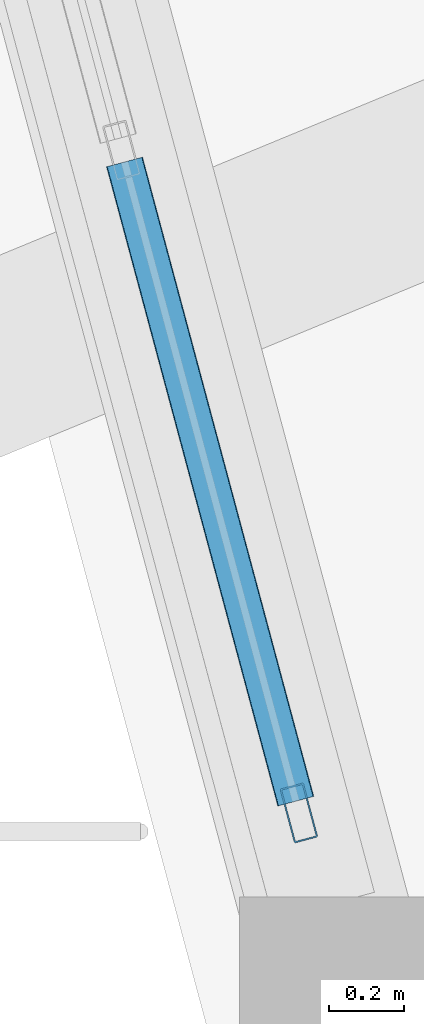
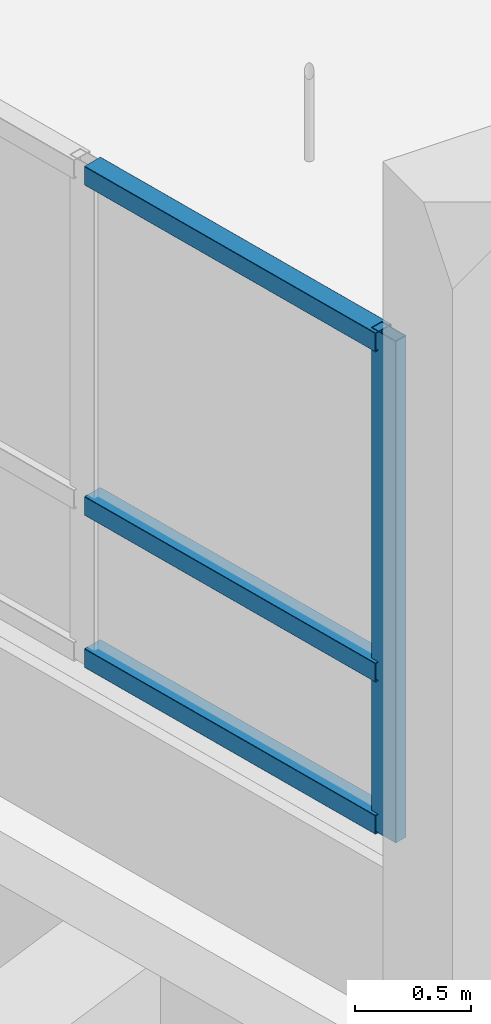
# One storey, part 35 of 129: 4 members, 1 element without a shape of its own.
"""IFC4 building model written with IfcOpenShell, lengths in metres."""

from ifc_helpers import new_model, si_unit, direction, frame, origin, origin_2d, place, context, subcontext, project, spatial, hollow_rectangle, extrude, material, layer, layer_set, material_profile, profile_set, type_object, element, aggregate, save


model = new_model("IFC4")

# Units and contexts
model_context = context("Model", 3, precision=1e-05, world=origin(), true_north=direction((0.0, 1.0)))
body_context = subcontext(model_context, "Body", "Model", "MODEL_VIEW")
ifc_project = project(units=[si_unit("LENGTHUNIT", "METRE"), si_unit("AREAUNIT", "SQUARE_METRE"), si_unit("VOLUMEUNIT", "CUBIC_METRE"), si_unit("PLANEANGLEUNIT", "RADIAN"), si_unit("MASSUNIT", "GRAM", prefix="KILO")], contexts=[model_context])

# Site, building, storey
site_placement = place(None, origin())
site = spatial("IfcSite", under=ifc_project, at=site_placement, CompositionType="ELEMENT")
building_placement = place(site_placement, origin())
building = spatial("IfcBuilding", under=site, at=building_placement, Name="Vespera Passage Community Centre", CompositionType="ELEMENT")
storey_placement = place(building_placement, origin())
storey = spatial("IfcBuildingStorey", under=building, at=storey_placement, Name="L00", CompositionType="ELEMENT", Elevation=0.0)

# Curtain wall, members
ifc_material_1 = material(Name="Anodized aluminium 6063-T6", Category="aluminium")
ifc_layer = layer(ifc_material_1, 0.159912109375)
ifc_layer_set = layer_set([ifc_layer], Name="Anodized aluminium 6063-T6")
curtain_wall_type = type_object("IfcCurtainWallType", Name="CW-112E", PredefinedType="NOTDEFINED", material=ifc_layer_set)
curtain_wall_placement = place(storey_placement, origin())
curtain_wall = element("IfcCurtainWall", 1, at=curtain_wall_placement, inside=storey, type_object=curtain_wall_type, Name="Passage Espresso Cafe Ribbon Curtain Wall 7", PredefinedType="NOTDEFINED")
ifc_material_2 = material(Name="Anodized aluminium 6063-T6", Category="aluminium")
ifc_material_profile_1 = material_profile(ifc_material_2, hollow_rectangle(XDim=0.06494140625, YDim=0.14990234375, WallThickness=0.00390625, InnerFilletRadius=0.001953125, OuterFilletRadius=0.00390625, at=origin_2d()), Name="ALU150X65X4")
ifc_profile_set_1 = profile_set([ifc_material_profile_1], Name="Anodized aluminium 6063-T6")
member_type_1 = type_object("IfcMemberType", Name="MB-CWM-150E", PredefinedType="MULLION", material=ifc_profile_set_1)
member_1_placement = place(storey_placement, frame((109.774169921875, 27.62451171875, 0.780029296875), z_axis=(0.0, 0.0, 1.0), x_axis=(-0.965928937444, -0.258807433834, 0.0)))
member_1 = element("IfcMember", 2, at=member_1_placement, type_object=member_type_1, Name="CW-112E mullion 1", PredefinedType="MULLION", context=body_context, shape_type="SweptSolid", body=[
    extrude(hollow_rectangle(XDim=0.06494140625, YDim=0.14990234375, WallThickness=0.00390625, InnerFilletRadius=0.001953125, OuterFilletRadius=0.00390625, at=origin_2d()), origin(), (0.0, 0.0, 1.0), 2.635009765625),
])
ifc_material_3 = material(Name="Anodized aluminium 6063-T6", Category="aluminium")
ifc_material_profile_2 = material_profile(ifc_material_3, hollow_rectangle(XDim=0.10009765625, YDim=0.10009765625, WallThickness=0.00390625, InnerFilletRadius=0.001953125, OuterFilletRadius=0.00390625, at=origin_2d()), Name="ALU100X100X4")
ifc_profile_set_2 = profile_set([ifc_material_profile_2], Name="Anodized aluminium 6063-T6")
member_type_2 = type_object("IfcMemberType", Name="MB-CWT-100E", PredefinedType="USERDEFINED", material=ifc_profile_set_2)
member_2_placement = place(storey_placement, frame((109.765869140625, 27.656005859375, 0.830078125), z_axis=(-0.258786623067, 0.965934513164, 0.0), x_axis=(-0.965934513164, -0.258786623067, 0.0)))
member_2 = element("IfcMember", 3, at=member_2_placement, type_object=member_type_2, Name="CW-112E transom 1.1", ObjectType="TRANSOM", PredefinedType="USERDEFINED", context=body_context, shape_type="SweptSolid", body=[
    extrude(hollow_rectangle(XDim=0.10009765625, YDim=0.10009765625, WallThickness=0.00390625, InnerFilletRadius=0.001953125, OuterFilletRadius=0.00390625, at=origin_2d()), origin(), (0.0, 0.0, 1.0), 1.770751953125),
])
member_3_placement = place(storey_placement, frame((109.765869140625, 27.656005859375, 1.6298828125), z_axis=(-0.258786623067, 0.965934513164, 0.0), x_axis=(-0.965934513164, -0.258786623067, 0.0)))
member_3 = element("IfcMember", 4, at=member_3_placement, type_object=member_type_2, Name="CW-112E transom 1.2", ObjectType="TRANSOM", PredefinedType="USERDEFINED", context=body_context, shape_type="SweptSolid", body=[
    extrude(hollow_rectangle(XDim=0.10009765625, YDim=0.10009765625, WallThickness=0.00390625, InnerFilletRadius=0.001953125, OuterFilletRadius=0.00390625, at=origin_2d()), origin(), (0.0, 0.0, 1.0), 1.770751953125),
])
member_4_placement = place(storey_placement, frame((109.765869140625, 27.656005859375, 3.364990234375), z_axis=(-0.258786623067, 0.965934513164, 0.0), x_axis=(-0.965934513164, -0.258786623067, 0.0)))
member_4 = element("IfcMember", 5, at=member_4_placement, type_object=member_type_2, Name="CW-112E transom 1.3", ObjectType="TRANSOM", PredefinedType="USERDEFINED", context=body_context, shape_type="SweptSolid", body=[
    extrude(hollow_rectangle(XDim=0.10009765625, YDim=0.10009765625, WallThickness=0.00390625, InnerFilletRadius=0.001953125, OuterFilletRadius=0.00390625, at=origin_2d()), origin(), (0.0, 0.0, 1.0), 1.770751953125),
])
aggregate(curtain_wall, [member_1, member_2, member_3, member_4])

save(model, "model.ifc")
